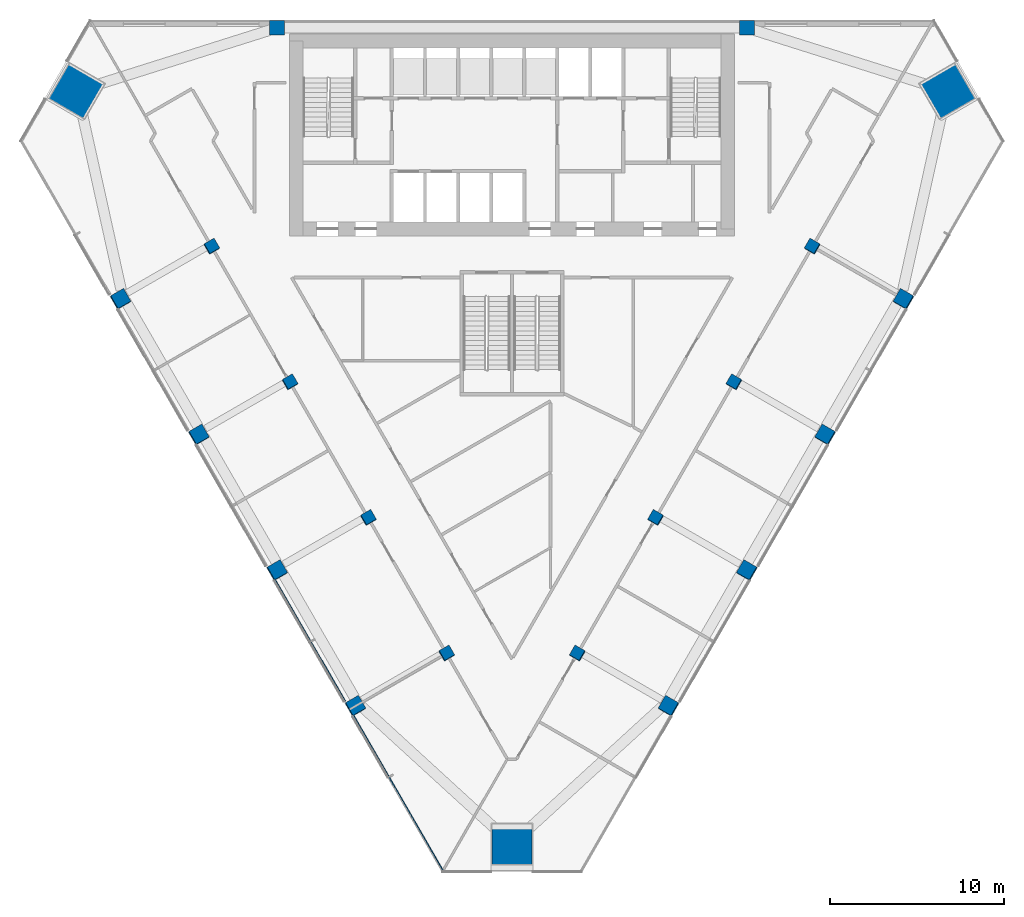
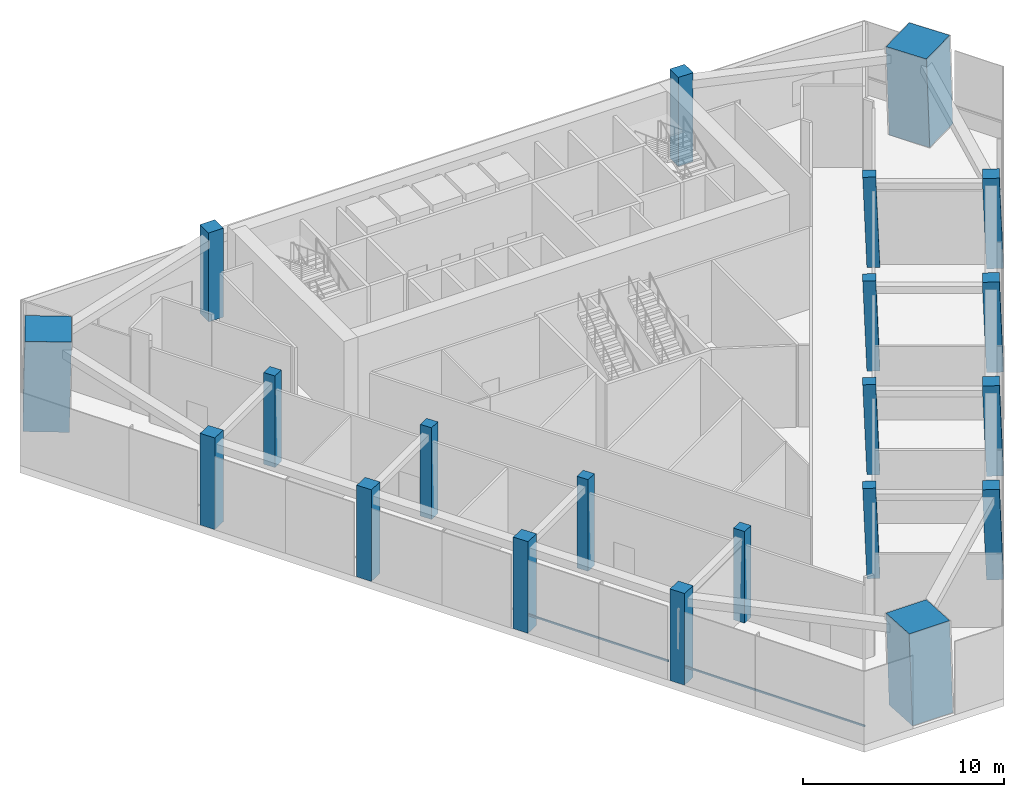
# One storey, part 1 of 12: 21 columns, 2 members, 1 element without a shape of its own.
"""IFC4 building model written with IfcOpenShell, lengths in metres."""

from ifc_helpers import new_model, si_unit, direction, frame, origin, origin_2d, place, context, subcontext, project, spatial, rectangle, extrude, material, layer, layer_set, material_profile, profile_set, type_object, element, aggregate, save


model = new_model("IFC4")

# Units and contexts
model_context = context("Model", 3, precision=1e-05, world=origin(), true_north=direction((0.0, 1.0)))
body_context = subcontext(model_context, "Body", "Model", "MODEL_VIEW")
ifc_project = project(units=[si_unit("LENGTHUNIT", "METRE"), si_unit("AREAUNIT", "SQUARE_METRE"), si_unit("VOLUMEUNIT", "CUBIC_METRE"), si_unit("PLANEANGLEUNIT", "RADIAN"), si_unit("MASSUNIT", "GRAM", prefix="KILO")], contexts=[model_context])

# Site, building, storey
site_placement = place(None, origin())
site = spatial("IfcSite", under=ifc_project, at=site_placement, CompositionType="ELEMENT")
building_placement = place(site_placement, origin())
building = spatial("IfcBuilding", under=site, at=building_placement, Name="Altiplano Prism Tower", CompositionType="ELEMENT")
storey_placement = place(building_placement, frame((0.0, 0.0, 118.800048828125)))
storey = spatial("IfcBuildingStorey", under=building, at=storey_placement, Name="L30", CompositionType="ELEMENT", Elevation=118.800048828125)

# Columns
ifc_material_1 = material(Name="Concrete C60/75", Category="concrete")
ifc_material_profile_1 = material_profile(ifc_material_1, rectangle(XDim=0.64990234375, YDim=0.64990234375, at=origin_2d()), Name="Inner column 650")
ifc_profile_set_1 = profile_set([ifc_material_profile_1], Name="Concrete C60/75")
column_type_1 = type_object("IfcColumnType", Name="Inner column 650", PredefinedType="COLUMN", material=ifc_profile_set_1)
for number, where, z_axis, x_axis, name in (
    (1, (67.73193359375, 91.973388671875, -0.021240234375), (0.022171203896, 0.038472231607, 0.999013676139), (-0.86520009535, -0.499950032411, 0.038454649902), "Inner column I11 L30"),
    (2, (72.23193359375, 84.17919921875, -0.021240234375), (0.022171203896, 0.038472231607, 0.999013676139), (-0.86520009535, -0.499950032411, 0.038454649902), "Inner column I12 L30"),
    (3, (76.73193359375, 76.385009765625, -0.021240234375), (0.022171242389, 0.038427143123, 0.999015410633), (-0.865454805943, -0.49951157937, 0.038420839982), "Inner column I13 L30"),
    (4, (81.23193359375, 68.5908203125, -0.021240234375), (0.022171242389, 0.038427143123, 0.999015410633), (-0.865454805943, -0.49951157937, 0.038420839982), "Inner column I14 L30"),
    (5, (88.76806640625, 68.5908203125, -0.021240234375), (-0.022171242389, 0.038427143123, 0.999015410633), (-0.500496168697, -0.8654545261, 0.022182163392), "Inner column I21 L30"),
    (6, (93.26806640625, 76.385009765625, -0.021240234375), (-0.022171242389, 0.038427143123, 0.999015410633), (-0.500496168697, -0.8654545261, 0.022182163392), "Inner column I22 L30"),
    (7, (97.76806640625, 84.17919921875, -0.021240234375), (-0.022171203896, 0.038472231607, 0.999013676139), (-0.500936355962, -0.865199313735, 0.022201684348), "Inner column I23 L30"),
    (8, (102.26806640625, 91.973388671875, -0.021240234375), (-0.022171203896, 0.038472231607, 0.999013676139), (-0.500936355962, -0.865199313735, 0.022201684348), "Inner column I24 L30"),
):
    element("IfcColumn", number, at=place(storey_placement, frame(where, z_axis=z_axis, x_axis=x_axis)), inside=storey, type_object=column_type_1, Name=name, PredefinedType="COLUMN", context=body_context, shape_type="SweptSolid", body=[
        extrude(rectangle(XDim=0.64990234375, YDim=0.64990234375, at=origin_2d()), origin(), (0.0, 0.0, 1.0), 5.40673828125),
    ])
ifc_material_2 = material(Name="Concrete C70/85", Category="concrete")
ifc_material_profile_2 = material_profile(ifc_material_2, rectangle(XDim=2.320068359375, YDim=2.320068359375, at=origin_2d()), Name="Mega column infill 2400")
ifc_profile_set_2 = profile_set([ifc_material_profile_2], Name="Concrete C70/85")
column_type_2 = type_object("IfcColumnType", Name="Mega column infill 2400", PredefinedType="COLUMN", material=ifc_profile_set_2)
column_1_placement = place(storey_placement, frame((59.860107421875, 100.869873046875, 0.0), z_axis=(0.028425675249, 0.009219137918, 0.999553394513), x_axis=(-0.865006039594, 0.50136368478, 0.019975160829)))
element("IfcColumn", 9, at=column_1_placement, inside=storey, type_object=column_type_2, Name="Mega column M0 L30", PredefinedType="COLUMN", context=body_context, shape_type="SweptSolid", body=[
    extrude(rectangle(XDim=2.320068359375, YDim=2.320068359375, at=origin_2d()), origin(), (0.0, 0.0, 1.0), 5.40234375),
])
column_2_placement = place(storey_placement, frame((85.0, 57.326416015625, 0.0), z_axis=(0.0, 0.058359537448, 0.998295629755), x_axis=(-1.0, 0.0, 0.0)))
element("IfcColumn", 10, at=column_2_placement, inside=storey, type_object=column_type_2, Name="Mega column M1 L30", PredefinedType="COLUMN", context=body_context, shape_type="SweptSolid", body=[
    extrude(rectangle(XDim=2.320068359375, YDim=2.320068359375, at=origin_2d()), origin(), (0.0, 0.0, 1.0), 5.4091796875),
])
column_3_placement = place(storey_placement, frame((110.139892578125, 100.869873046875, 0.0), z_axis=(-0.028425675249, 0.009219137918, 0.999553394513), x_axis=(0.500953958552, -0.865188493132, 0.022226172915)))
element("IfcColumn", 11, at=column_3_placement, inside=storey, type_object=column_type_2, Name="Mega column M2 L30", PredefinedType="COLUMN", context=body_context, shape_type="SweptSolid", body=[
    extrude(rectangle(XDim=2.320068359375, YDim=2.320068359375, at=origin_2d()), origin(), (0.0, 0.0, 1.0), 5.40234375),
])
ifc_material_profile_3 = material_profile(ifc_material_1, rectangle(XDim=0.85009765625, YDim=0.85009765625, at=origin_2d()), Name="Perimeter column 850")
ifc_profile_set_3 = profile_set([ifc_material_profile_3], Name="Concrete C60/75")
column_type_3 = type_object("IfcColumnType", Name="Perimeter column 850", PredefinedType="COLUMN", material=ifc_profile_set_3)
for number, where, z_axis, x_axis, name in (
    (12, (98.5, 104.550048828125, 0.0), (0.0, 0.0, 1.0), (1.0, 0.0, 0.0), "Perimeter column P01 L30"),
    (13, (71.5, 104.550048828125, 0.0), (0.0, 0.0, 1.0), (1.0, 0.0, 0.0), "Perimeter column P04 L30"),
):
    element("IfcColumn", number, at=place(storey_placement, frame(where, z_axis=z_axis, x_axis=x_axis)), inside=storey, type_object=column_type_3, Name=name, PredefinedType="COLUMN", context=body_context, shape_type="SweptSolid", body=[
        extrude(rectangle(XDim=0.85009765625, YDim=0.85009765625, at=origin_2d()), origin(), (0.0, 0.0, 1.0), 5.39990234375),
    ])
for number, where, z_axis, x_axis, name in (
    (14, (62.4921875, 88.9482421875, -0.02734375), (0.022215373253, 0.038425371216, 0.999014498412), (-0.865894232442, -0.498748083025, 0.038438625131), "Perimeter column P11 L30"),
    (15, (66.9921875, 81.154052734375, -0.02734375), (0.022215373253, 0.038425371216, 0.999014498412), (-0.865894232442, -0.498748083025, 0.038438625131), "Perimeter column P12 L30"),
    (16, (71.4921875, 73.35986328125, -0.02734375), (0.022215373253, 0.038425371216, 0.999014498412), (-0.86589422372, -0.498748098138, 0.038438625518), "Perimeter column P13 L30"),
    (17, (75.9921875, 65.5654296875, -0.02734375), (0.022215334686, 0.038470457627, 0.99901276408), (-0.865639632959, -0.499187238397, 0.038472417018), "Perimeter column P14 L30"),
    (18, (94.0078125, 65.5654296875, -0.02734375), (-0.022215334686, 0.038470457627, 0.99901276408), (-0.500174474314, -0.86563972004, 0.022211941248), "Perimeter column P21 L30"),
    (19, (98.5078125, 73.35986328125, -0.02734375), (-0.022215373253, 0.038425371216, 0.999014498412), (-0.49973359955, -0.865894812001, 0.022192431821), "Perimeter column P22 L30"),
    (20, (103.0078125, 81.154052734375, -0.02734375), (-0.022215373253, 0.038425371216, 0.999014498412), (-0.499733584437, -0.865894820706, 0.022192432492), "Perimeter column P23 L30"),
    (21, (107.5078125, 88.9482421875, -0.02734375), (-0.022215373253, 0.038425371216, 0.999014498412), (-0.499733584437, -0.865894820706, 0.022192432492), "Perimeter column P24 L30"),
):
    element("IfcColumn", number, at=place(storey_placement, frame(where, z_axis=z_axis, x_axis=x_axis)), inside=storey, type_object=column_type_3, Name=name, PredefinedType="COLUMN", context=body_context, shape_type="SweptSolid", body=[
        extrude(rectangle(XDim=0.85009765625, YDim=0.85009765625, at=origin_2d()), origin(), (0.0, 0.0, 1.0), 5.406982421875),
    ])

# Curtain wall, members
ifc_material_3 = material(Name="Aluminium and glass", Category="aluminium")
ifc_layer = layer(ifc_material_3, 0.360107421875)
ifc_layer_set = layer_set([ifc_layer], Name="Aluminium and glass")
curtain_wall_type = type_object("IfcCurtainWallType", Name="CW3 sky-lobby unitised glazing", PredefinedType="NOTDEFINED", material=ifc_layer_set)
curtain_wall_placement = place(storey_placement, origin())
curtain_wall = element("IfcCurtainWall", 22, at=curtain_wall_placement, inside=storey, type_object=curtain_wall_type, Name="CW3 curtain wall south-west face L30", PredefinedType="NOTDEFINED")
ifc_material_4 = material(Name="Aluminium", Category="aluminium")
ifc_material_profile_4 = material_profile(ifc_material_4, rectangle(XDim=0.070068359375, YDim=0.10009765625, at=origin_2d()), Name="CW3 transom 100 x 70")
ifc_profile_set_4 = profile_set([ifc_material_profile_4], Name="Aluminium")
member_type = type_object("IfcMemberType", Name="CW3 transom 100 x 70", PredefinedType="USERDEFINED", material=ifc_profile_set_4)
member_1_placement = place(storey_placement, frame((71.3896484375, 72.8095703125, 1.099853515625), z_axis=(0.500007577232, -0.866021029023, 0.0), x_axis=(0.866021029023, 0.500007577232, 0.0)))
member_1 = element("IfcMember", 23, at=member_1_placement, type_object=member_type, Name="CW3 transom", ObjectType="TRANSOM", PredefinedType="USERDEFINED", context=body_context, shape_type="SweptSolid", body=[
    extrude(rectangle(XDim=0.070068359375, YDim=0.10009765625, at=origin_2d()), origin(), (0.0, 0.0, 1.0), 8.02978515625),
])
member_2_placement = place(storey_placement, frame((75.8896484375, 65.015380859375, 1.099853515625), z_axis=(0.499999989109, -0.866025410072, 0.0), x_axis=(0.866025410072, 0.499999989109, 0.0)))
member_2 = element("IfcMember", 24, at=member_2_placement, type_object=member_type, Name="CW3 transom", ObjectType="TRANSOM", PredefinedType="USERDEFINED", context=body_context, shape_type="SweptSolid", body=[
    extrude(rectangle(XDim=0.070068359375, YDim=0.10009765625, at=origin_2d()), origin(), (0.0, 0.0, 1.0), 10.33056640625),
])
aggregate(curtain_wall, [member_1, member_2])

save(model, "model.ifc")
